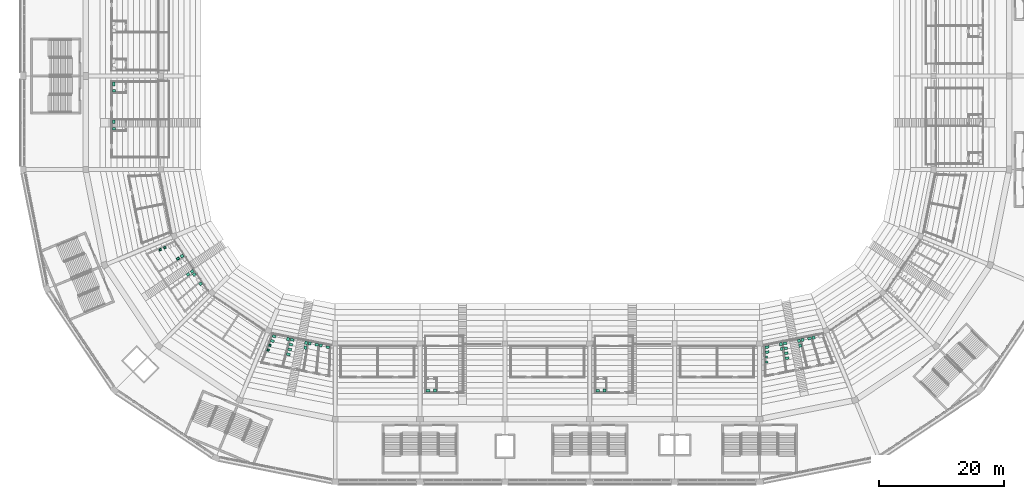
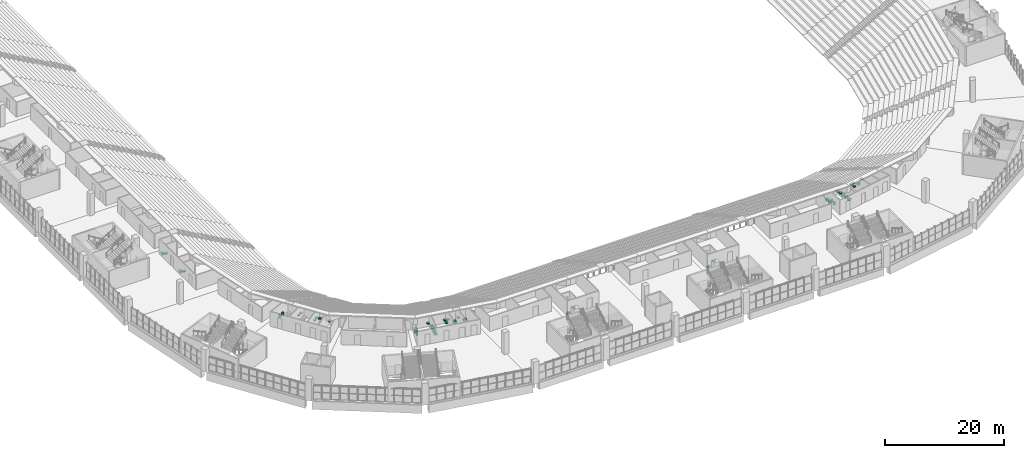
# One storey, part 245 of 249: 46 sanitary terminals.
"""IFC4 building model written with IfcOpenShell, lengths in metres."""

import ifcopenshell
import ifcopenshell.guid

model = None  # the IFC model being written
_history = None  # IfcOwnerHistory: only IFC2X3 demands one
_inside = {}  # id of a spatial element -> (the spatial element, [elements in it])
_under = {}  # id of a project, library or spatial element -> (it, [spatial elements below it])
_declared = {}  # id of a project -> (the project, [libraries it declares])
_typed = {}  # id of a type object -> (the type object, [elements of that type])
_made_of = {}  # id of a material, layer set ... -> (it, [elements and type objects made of it])


def new_model(schema):
    """Start an empty IFC model of exactly this schema.

    Asked for "IFC4X3", IfcOpenShell would pick the latest addendum, in which some entities
    have other attributes; the version numbers below select the first issue.
    IFC2X3 requires an IfcOwnerHistory on every rooted entity: one is made here for all.
    """
    global model, _history
    if schema == "IFC4X3":
        model = ifcopenshell.file(schema_version=(4, 3, 0, 0))
    else:
        model = ifcopenshell.file(schema=schema)
    _inside.clear()
    _under.clear()
    _declared.clear()
    _typed.clear()
    _made_of.clear()
    _history = None
    if model.schema == "IFC2X3":
        org = make("IfcOrganization", Name="unknown")
        user = make(
            "IfcPersonAndOrganization",
            ThePerson=make("IfcPerson", FamilyName="unknown"),
            TheOrganization=org,
        )
        app = make(
            "IfcApplication",
            ApplicationDeveloper=org,
            Version="unknown",
            ApplicationFullName="unknown",
            ApplicationIdentifier="unknown",
        )
        _history = make(
            "IfcOwnerHistory",
            OwningUser=user,
            OwningApplication=app,
            ChangeAction="ADDED",
            CreationDate=0,
        )
    return model


def make(cls, **values):
    """One entity of the class cls with the attributes given. An attribute that is None is left unset."""
    return model.create_entity(
        cls, **{name: value for name, value in values.items() if value is not None}
    )


def rooted(cls, **values):
    """An entity with a GlobalId (a new one), such as an element, a storey or a relation."""
    return make(cls, GlobalId=ifcopenshell.guid.new(), OwnerHistory=_history, **values)


def si_unit(unit_type, name, prefix=None):
    """IfcSIUnit, for example si_unit("LENGTHUNIT", "METRE", prefix="MILLI")."""
    return make("IfcSIUnit", UnitType=unit_type, Prefix=prefix, Name=name)


def assignment(units):
    """IfcUnitAssignment: the units of a project."""
    return None if units is None else make("IfcUnitAssignment", Units=units)


def point(xyz):
    """IfcCartesianPoint."""
    return None if xyz is None else make("IfcCartesianPoint", Coordinates=xyz)


def direction(xyz):
    """IfcDirection."""
    return None if xyz is None else make("IfcDirection", DirectionRatios=xyz)


def frame(location, z_axis=None, x_axis=None):
    """IfcAxis2Placement3D, a coordinate frame: its origin and axes. An axis left out is left unset."""
    return make(
        "IfcAxis2Placement3D",
        Location=point(location),
        Axis=direction(z_axis),
        RefDirection=direction(x_axis),
    )


def frame_2d(location, x_axis=None):
    """IfcAxis2Placement2D, a coordinate frame in the plane: its origin and x axis."""
    return make(
        "IfcAxis2Placement2D", Location=point(location), RefDirection=direction(x_axis)
    )


def origin():
    """The frame at (0, 0, 0) with its axes left unset."""
    return frame((0.0, 0.0, 0.0))


def origin_2d():
    """The frame at (0, 0) in the plane with its x axis left unset."""
    return frame_2d((0.0, 0.0))


def place(relative_to, where):
    """IfcLocalPlacement: puts the frame where relative to a parent placement (None: the world)."""
    return make(
        "IfcLocalPlacement", PlacementRelTo=relative_to, RelativePlacement=where
    )


def context(
    kind, dimensions, precision=None, world=None, true_north=None, identifier=None
):
    """IfcGeometricRepresentationContext, for example the 3D "Model" context."""
    return make(
        "IfcGeometricRepresentationContext",
        ContextIdentifier=identifier,
        ContextType=kind,
        CoordinateSpaceDimension=dimensions,
        Precision=precision,
        WorldCoordinateSystem=world,
        TrueNorth=true_north,
    )


def subcontext(parent, identifier, kind, view, scale=None):
    """IfcGeometricRepresentationSubContext, for example "Body" below "Model"."""
    return make(
        "IfcGeometricRepresentationSubContext",
        ContextIdentifier=identifier,
        ContextType=kind,
        ParentContext=parent,
        TargetScale=scale,
        TargetView=view,
    )


def project(units=None, contexts=None):
    """IfcProject with its units and contexts."""
    return rooted(
        "IfcProject",
        Name="project",
        RepresentationContexts=contexts,
        UnitsInContext=assignment(units),
    )


def spatial(cls, under=None, at=None, **own):
    """A site, building, storey or space (cls), placed at a placement, below another one or the project."""
    s = rooted(cls, ObjectPlacement=at, **own)
    if under is not None:
        _under.setdefault(under.id(), (under, []))[1].append(s)
    return s


def profile(cls, at=None, kind="AREA", **sizes):
    """A parametric profile (cls). Its sizes go by their IFC names, for example OverallWidth=200.0."""
    return make(cls, ProfileType=kind, Position=at, **sizes)


def rectangle(**sizes):
    """IfcRectangleProfileDef."""
    return profile("IfcRectangleProfileDef", **sizes)


def extrude(swept, where, along, depth):
    """IfcExtrudedAreaSolid: the profile swept, set in the frame where, extruded along a direction by depth."""
    return make(
        "IfcExtrudedAreaSolid",
        SweptArea=swept,
        Position=where,
        ExtrudedDirection=direction(along),
        Depth=depth,
    )


def shape(context_of_items, identifier, shape_type, items):
    """IfcShapeRepresentation: the items that make up one representation, for example the "Body"."""
    return make(
        "IfcShapeRepresentation",
        ContextOfItems=context_of_items,
        RepresentationIdentifier=identifier,
        RepresentationType=shape_type,
        Items=items,
    )


def material(Name=None, Category=None):
    """IfcMaterial."""
    return make("IfcMaterial", Name=Name, Category=Category)


def made_of(thing, what):
    """Note that an element or type object is made of a material, layer set ...; save() writes the relation."""
    if what is not None:
        _made_of.setdefault(what.id(), (what, []))[1].append(thing)
    return thing


def type_object(cls, material=None, **own):
    """A type object (cls), such as IfcWallType, which elements share."""
    return made_of(rooted(cls, **own), material)


def element(
    cls,
    number,
    at=None,
    inside=None,
    cuts=None,
    type_object=None,
    material=None,
    context=None,
    identifier="Body",
    shape_type=None,
    held_by="IfcProductDefinitionShape",
    body=None,
    shapes=None,
    **own,
):
    """One element of the class cls, such as IfcWall. Its Tag is "e" and its number.

    at: its placement. inside: the storey or other place that contains it. cuts: it is an
    opening in that element (IfcRelVoidsElement). A single representation is given by context,
    identifier, shape_type and body (its items); several are given by shapes. held_by: the class
    of the entity that holds the representations. save() writes the other relations.
    """
    e = rooted(cls, Tag="e%d" % number, ObjectPlacement=at, **own)
    if body is not None:
        shapes = [shape(context, identifier, shape_type, body)]
    if shapes is not None:
        e.Representation = make(held_by, Representations=shapes)
    if inside is not None:
        _inside.setdefault(inside.id(), (inside, []))[1].append(e)
    if cuts is not None:
        rooted(
            "IfcRelVoidsElement", RelatingBuildingElement=cuts, RelatedOpeningElement=e
        )
    if type_object is not None:
        _typed.setdefault(type_object.id(), (type_object, []))[1].append(e)
    return made_of(e, material)


def aggregate(whole, parts):
    """IfcRelAggregates: a whole, such as a stair, and the parts it consists of."""
    return rooted("IfcRelAggregates", RelatingObject=whole, RelatedObjects=parts)


def save(model, path):
    """Write the relations noted so far, then the file.

    IfcRelAggregates (storeys below a building ...), IfcRelContainedInSpatialStructure (elements
    in a storey), IfcRelDefinesByType, IfcRelAssociatesMaterial and IfcRelDeclares: one each for
    every whole, place, type object, material and project.
    """
    for whole, parts in _under.values():
        aggregate(whole, parts)
    for where, things in _inside.values():
        rooted(
            "IfcRelContainedInSpatialStructure",
            RelatedElements=things,
            RelatingStructure=where,
        )
    for kind, things in _typed.values():
        rooted("IfcRelDefinesByType", RelatedObjects=things, RelatingType=kind)
    for what, things in _made_of.values():
        rooted("IfcRelAssociatesMaterial", RelatedObjects=things, RelatingMaterial=what)
    for by, libraries in _declared.values():
        rooted("IfcRelDeclares", RelatingContext=by, RelatedDefinitions=libraries)
    model.write(path)


model = new_model("IFC4")

# Units and contexts
model_context = context("Model", 3, precision=1e-05, world=origin(), true_north=direction((0.0, 1.0)))
body_context = subcontext(model_context, "Body", "Model", "MODEL_VIEW")
ifc_project = project(units=[si_unit("LENGTHUNIT", "METRE"), si_unit("AREAUNIT", "SQUARE_METRE"), si_unit("VOLUMEUNIT", "CUBIC_METRE"), si_unit("PLANEANGLEUNIT", "RADIAN"), si_unit("MASSUNIT", "GRAM", prefix="KILO")], contexts=[model_context])

# Site, building, storey
site_placement = place(None, origin())
site = spatial("IfcSite", under=ifc_project, at=site_placement, CompositionType="ELEMENT")
building_placement = place(site_placement, origin())
building = spatial("IfcBuilding", under=site, at=building_placement, Name="Ogive Plaza Stadium", CompositionType="ELEMENT")
storey_placement = place(building_placement, frame((0.0, 0.0, 13.5)))
storey = spatial("IfcBuildingStorey", under=building, at=storey_placement, Name="L03", CompositionType="ELEMENT", Elevation=13.5)

# Sanitary terminals
ifc_material_1 = material(Name="Vitreous china", Category="ceramic")
sanitary_terminal_type_1 = type_object("IfcSanitaryTerminalType", Name="Drinking fountain", PredefinedType="SANITARYFOUNTAIN", material=ifc_material_1)
for number, where, z_axis, x_axis, name in (
    (1, (37.548095703125, -81.249267578125, 0.7998046875), (0.0, 0.0, 1.0), (0.129337315444, -0.991600654918, 0.0), "Drinking fountain L03-047"),
    (2, (-59.202880859375, -66.77978515625, 0.7998046875), (0.0, 0.0, 1.0), (-0.866624301697, -0.498961240688, 0.0), "Drinking fountain L03-069"),
):
    element("IfcSanitaryTerminal", number, at=place(storey_placement, frame(where, z_axis=z_axis, x_axis=x_axis)), inside=storey, type_object=sanitary_terminal_type_1, Name=name, PredefinedType="SANITARYFOUNTAIN", context=body_context, shape_type="SweptSolid", body=[
        extrude(rectangle(XDim=0.449951171875, YDim=0.39990234375, at=origin_2d()), origin(), (0.0, 0.0, 1.0), 0.199951171875),
    ])
ifc_material_2 = material(Name="Vitreous china", Category="ceramic")
sanitary_terminal_type_2 = type_object("IfcSanitaryTerminalType", Name="Lavatory", PredefinedType="WASHHANDBASIN", material=ifc_material_2)
for number, where, z_axis, x_axis, name in (
    (3, (37.423095703125, -80.48388671875, 0.7998046875), (0.0, 0.0, 1.0), (0.129337315444, -0.991600654918, 0.0), "Lavatory L03-047"),
    (4, (-41.54638671875, -79.663818359375, 0.7998046875), (0.0, 0.0, 1.0), (-0.259977043631, -0.96561479731, 0.0), "Lavatory L03-063"),
    (5, (-58.5439453125, -66.37158203125, 0.7998046875), (0.0, 0.0, 1.0), (-0.866624301697, -0.498961240688, 0.0), "Lavatory L03-069"),
    (6, (40.3203125, -79.93212890625, 0.7998046875), (0.0, 0.0, 1.0), (0.232294563039, -0.972645483197, 0.0), "Lavatory L03-048"),
    (7, (40.506103515625, -80.710205078125, 0.7998046875), (0.0, 0.0, 1.0), (0.232294563039, -0.972645483197, 0.0), "Lavatory L03-048"),
    (8, (-38.65869140625, -80.2626953125, 0.7998046875), (0.0, 0.0, 1.0), (-0.157603119679, -0.987502535018, 0.0), "Lavatory L03-064"),
    (9, (-38.784912109375, -81.052734375, 0.7998046875), (0.0, 0.0, 1.0), (-0.157603119679, -0.987502535018, 0.0), "Lavatory L03-064"),
    (10, (-56.92529296875, -68.8369140625, 0.7998046875), (0.0, 0.0, 1.0), (-0.809711973611, -0.586827504289, 0.0), "Lavatory L03-070"),
    (11, (-57.5732421875, -69.306396484375, 0.7998046875), (0.0, 0.0, 1.0), (-0.809711973611, -0.586827504289, 0.0), "Lavatory L03-070"),
    (12, (40.894775390625, -79.79931640625, 0.7998046875), (0.0, 0.0, 1.0), (0.237114531193, -0.971481702914, 0.0), "Lavatory L03-049"),
    (13, (42.663330078125, -79.431396484375, 0.7998046875), (0.0, 0.0, 1.0), (0.298649383178, -0.95436290054, 0.0), "Lavatory L03-050"),
    (14, (9.175048828125, -87.925048828125, 0.7998046875), (0.0, 0.0, 1.0), (0.0, 1.0, 0.0), "Lavatory L03-054"),
    (15, (-18.02490234375, -87.925048828125, 0.7998046875), (0.0, 0.0, 1.0), (0.0, 1.0, 0.0), "Lavatory L03-059"),
    (16, (-38.0771484375, -80.359619140625, 0.7998046875), (0.0, 0.0, 1.0), (-0.152704690321, -0.988271864192, 0.0), "Lavatory L03-065"),
    (17, (-36.30224609375, -80.69677734375, 0.7998046875), (0.0, 0.0, 1.0), (-0.089302817986, -0.996004521425, 0.0), "Lavatory L03-066"),
    (18, (-56.582763671875, -69.31689453125, 0.7998046875), (0.0, 0.0, 1.0), (-0.806792258871, -0.590835214781, 0.0), "Lavatory L03-071"),
    (19, (-55.56591796875, -70.81005859375, 0.7998046875), (0.0, 0.0, 1.0), (-0.767428179369, -0.641134923016, 0.0), "Lavatory L03-072"),
    (20, (-69.425048828125, -39.875, 0.7998046875), (0.0, 0.0, 1.0), (1.0, 0.0, 0.0), "Lavatory L03-077"),
    (21, (-69.425048828125, -45.949951171875, 0.7998046875), (0.0, 0.0, 1.0), (1.0, 0.0, 0.0), "Lavatory L03-079"),
):
    element("IfcSanitaryTerminal", number, at=place(storey_placement, frame(where, z_axis=z_axis, x_axis=x_axis)), inside=storey, type_object=sanitary_terminal_type_2, Name=name, PredefinedType="WASHHANDBASIN", context=body_context, shape_type="SweptSolid", body=[
        extrude(rectangle(XDim=0.5, YDim=0.449951171875, at=origin_2d()), origin(), (0.0, 0.0, 1.0), 0.199951171875),
    ])
ifc_material_3 = material(Name="Vitreous china", Category="ceramic")
sanitary_terminal_type_3 = type_object("IfcSanitaryTerminalType", Name="Urinal", PredefinedType="URINAL", material=ifc_material_3)
for number, where, z_axis, x_axis, name in (
    (22, (35.11279296875, -82.518310546875, 0.599853515625), (0.0, 0.0, 1.0), (0.03122584493, -0.999512354405, 0.0), "Urinal L03-047"),
    (23, (35.137939453125, -83.318115234375, 0.599853515625), (0.0, 0.0, 1.0), (0.03122584493, -0.999512354405, 0.0), "Urinal L03-047"),
    (24, (-44.45947265625, -80.6591796875, 0.599853515625), (0.0, 0.0, 1.0), (-0.353647899459, -0.935378620243, 0.0), "Urinal L03-063"),
    (25, (-44.7421875, -81.40771484375, 0.599853515625), (0.0, 0.0, 1.0), (-0.353647899459, -0.935378620243, 0.0), "Urinal L03-063"),
    (26, (-61.3076171875, -65.015625, 0.599853515625), (0.0, 0.0, 1.0), (-0.911479393211, -0.411345737491, 0.0), "Urinal L03-069"),
    (27, (-62.03662109375, -65.3447265625, 0.599853515625), (0.0, 0.0, 1.0), (-0.911479393211, -0.411345737491, 0.0), "Urinal L03-069"),
):
    element("IfcSanitaryTerminal", number, at=place(storey_placement, frame(where, z_axis=z_axis, x_axis=x_axis)), inside=storey, type_object=sanitary_terminal_type_3, Name=name, PredefinedType="URINAL", context=body_context, shape_type="SweptSolid", body=[
        extrude(rectangle(XDim=0.35009765625, YDim=0.35009765625, at=origin_2d()), origin(), (0.0, 0.0, 1.0), 0.60009765625),
    ])
ifc_material_4 = material(Name="Vitreous china", Category="ceramic")
sanitary_terminal_type_4 = type_object("IfcSanitaryTerminalType", Name="Water closet", PredefinedType="TOILETPAN", material=ifc_material_4)
for number, where, z_axis, x_axis, name in (
    (28, (35.188720703125, -80.940185546875, 0.0), (0.0, 0.0, 1.0), (0.03122584493, -0.999512354405, 0.0), "Water closet L03-047"),
    (29, (35.213623046875, -81.739990234375, 0.0), (0.0, 0.0, 1.0), (0.03122584493, -0.999512354405, 0.0), "Water closet L03-047"),
    (30, (-43.785400390625, -79.230224609375, 0.0), (0.0, 0.0, 1.0), (-0.353647899459, -0.935378620243, 0.0), "Water closet L03-063"),
    (31, (-44.068359375, -79.978515625, 0.0), (0.0, 0.0, 1.0), (-0.353647899459, -0.935378620243, 0.0), "Water closet L03-063"),
    (32, (38.07373046875, -80.337890625, 0.0), (0.0, 0.0, 1.0), (0.134238701493, -0.990949025441, 0.0), "Water closet L03-048"),
    (33, (38.18115234375, -81.130615234375, 0.0), (0.0, 0.0, 1.0), (0.134238701493, -0.990949025441, 0.0), "Water closet L03-048"),
    (34, (38.28857421875, -81.923583984375, 0.0), (0.0, 0.0, 1.0), (0.134238701493, -0.990949025441, 0.0), "Water closet L03-048"),
    (35, (38.39599609375, -82.71630859375, 0.0), (0.0, 0.0, 1.0), (0.134238701493, -0.990949025441, 0.0), "Water closet L03-048"),
    (36, (-40.889404296875, -79.77783203125, 0.0), (0.0, 0.0, 1.0), (-0.255199385574, -0.96688844941, 0.0), "Water closet L03-064"),
    (37, (-41.093505859375, -80.551513671875, 0.0), (0.0, 0.0, 1.0), (-0.255199385574, -0.96688844941, 0.0), "Water closet L03-064"),
    (38, (-41.297607421875, -81.324951171875, 0.0), (0.0, 0.0, 1.0), (-0.255199385574, -0.96688844941, 0.0), "Water closet L03-064"),
    (39, (-41.501953125, -82.098388671875, 0.0), (0.0, 0.0, 1.0), (-0.255199385574, -0.96688844941, 0.0), "Water closet L03-064"),
    (40, (42.01025390625, -79.56640625, 0.0), (0.0, 0.0, 1.0), (0.293958583655, -0.955818157965, 0.0), "Water closet L03-049"),
    (41, (8.074951171875, -87.97509765625, 0.0), (0.0, 0.0, 1.0), (0.0, 1.0, 0.0), "Water closet L03-054"),
    (42, (-19.125, -87.97509765625, 0.0), (0.0, 0.0, 1.0), (0.0, 1.0, 0.0), "Water closet L03-059"),
    (43, (-36.957275390625, -80.571533203125, 0.0), (0.0, 0.0, 1.0), (-0.094193454562, -0.995553912713, 0.0), "Water closet L03-065"),
    (44, (-35.188720703125, -80.940185546875, 0.0), (0.0, 0.0, 1.0), (-0.03122584493, -0.999512354405, 0.0), "Water closet L03-066"),
    (45, (-69.47509765625, -38.77490234375, 0.0), (0.0, 0.0, 1.0), (1.0, 0.0, 0.0), "Water closet L03-077"),
    (46, (-69.47509765625, -44.85009765625, 0.0), (0.0, 0.0, 1.0), (1.0, 0.0, 0.0), "Water closet L03-079"),
):
    element("IfcSanitaryTerminal", number, at=place(storey_placement, frame(where, z_axis=z_axis, x_axis=x_axis)), inside=storey, type_object=sanitary_terminal_type_4, Name=name, PredefinedType="TOILETPAN", context=body_context, shape_type="SweptSolid", body=[
        extrude(rectangle(XDim=0.39990234375, YDim=0.60009765625, at=origin_2d()), origin(), (0.0, 0.0, 1.0), 0.39990234375),
    ])

save(model, "model.ifc")
